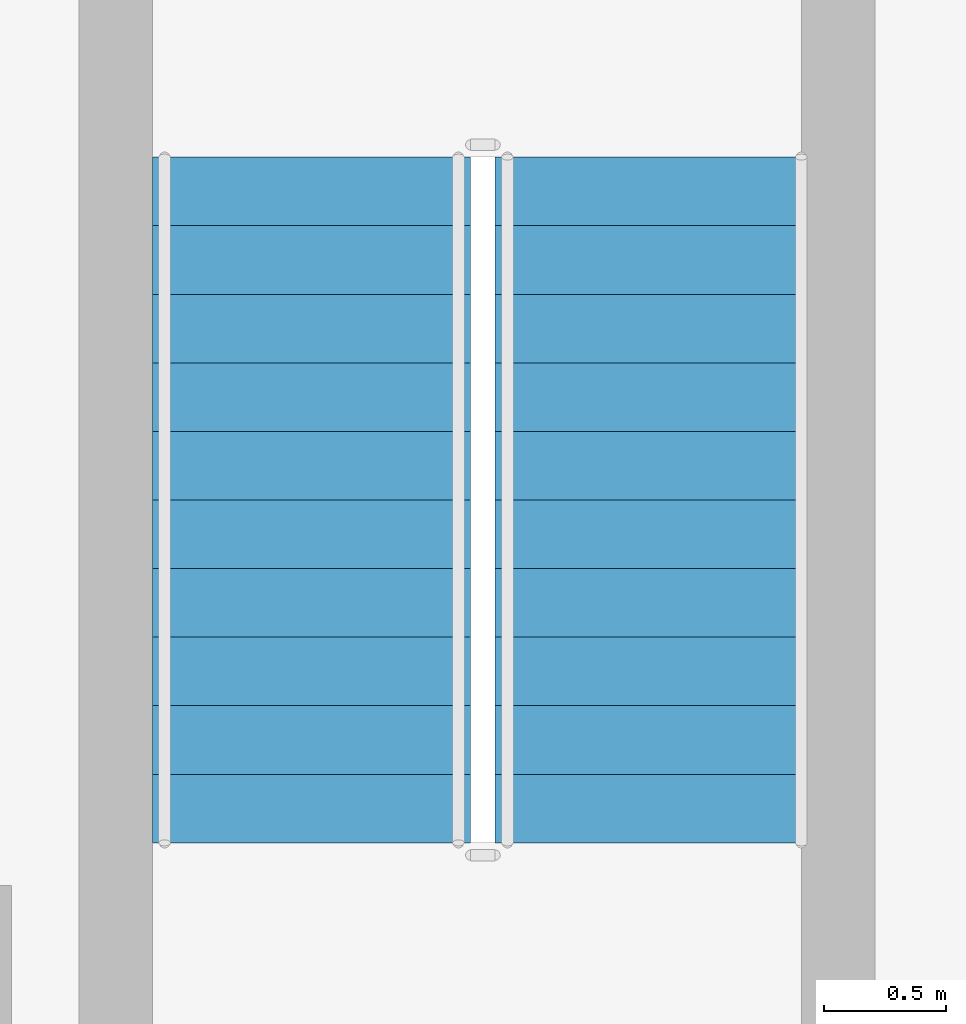
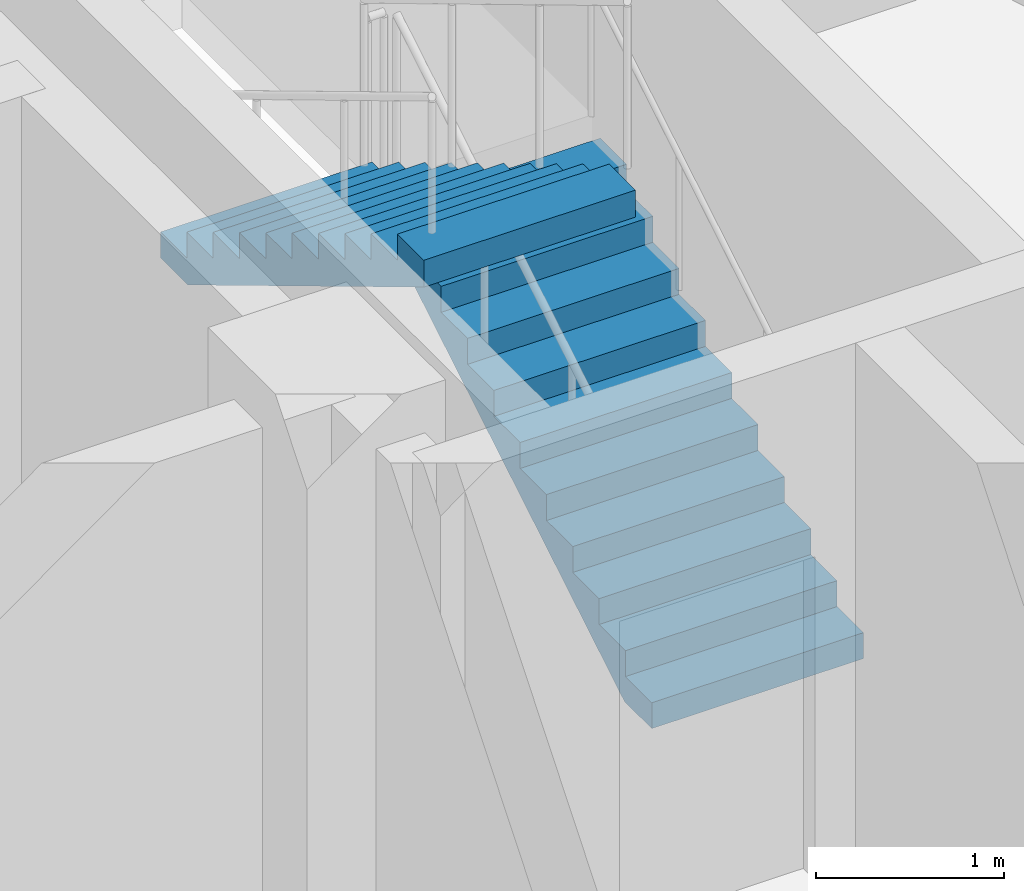
# One storey, part 27 of 33: 2 stair flights, 1 element without a shape of its own.
"""IFC4 building model written with IfcOpenShell, lengths in metres."""

from ifc_helpers import new_model, si_unit, direction, frame, origin, place, context, subcontext, project, spatial, triangles, source, transform, mapped, material, type_object, element, aggregate, save


model = new_model("IFC4")

# Units and contexts
model_context = context("Model", 3, precision=1e-05, world=origin(), true_north=direction((0.0, 1.0)))
body_context = subcontext(model_context, "Body", "Model", "MODEL_VIEW")
ifc_project = project(units=[si_unit("LENGTHUNIT", "METRE"), si_unit("AREAUNIT", "SQUARE_METRE"), si_unit("VOLUMEUNIT", "CUBIC_METRE"), si_unit("PLANEANGLEUNIT", "RADIAN"), si_unit("MASSUNIT", "GRAM", prefix="KILO")], contexts=[model_context])

# Site, building, storey
site_placement = place(None, origin())
site = spatial("IfcSite", under=ifc_project, at=site_placement, CompositionType="ELEMENT")
building_placement = place(site_placement, origin())
building = spatial("IfcBuilding", under=site, at=building_placement, Name="Ogive Portal Towers", CompositionType="ELEMENT")
storey_placement = place(building_placement, frame((0.0, 0.0, 101.89990234375)))
storey = spatial("IfcBuildingStorey", under=building, at=storey_placement, Name="L24", CompositionType="ELEMENT", Elevation=101.89990234375)

# Stair, stair flights
ifc_material = material(Name="Concrete C40/50", Category="concrete")
stair_type = type_object("IfcStairType", Name="INT-STAIR", PredefinedType="HALF_TURN_STAIR", material=ifc_material)
stair_placement = place(storey_placement, origin())
stair = element("IfcStair", 1, at=stair_placement, inside=storey, type_object=stair_type, Name="L24 Exit Stair ST-A3", PredefinedType="HALF_TURN_STAIR")
stair_flight_type = type_object("IfcStairFlightType", Name="INT-FLIGHT", PredefinedType="STRAIGHT", material=ifc_material)
shared_shape = source(origin(), body_context, "Body", "Tessellation", [
    triangles([(0.0, -0.650146484375, 0.0), (0.0, -0.376220703125, 0.0), (0.0, -0.192626953125, 0.0), (0.0, -0.081298828125, 0.0), (0.0, -0.024169921875, 0.0), (0.0, -0.003173828125, 0.0), (0.0, 0.0, 0.0), (0.0, 0.0029296875, 0.0), (0.0, 0.02392578125, 0.0), (0.0, 0.0810546875, 0.0), (0.0, 0.1923828125, 0.0), (0.0, 0.3759765625, 0.0), (0.0, 0.64990234375, 0.0), (0.0, -0.650146484375, 0.168212890625), (0.0, -0.376220703125, 0.168212890625), (0.0, -0.192626953125, 0.168212890625), (0.0, -0.081298828125, 0.168212890625), (0.0, -0.024169921875, 0.168212890625), (0.0, -0.003173828125, 0.168212890625), (0.0, 0.0, 0.168212890625), (0.0, 0.0029296875, 0.168212890625), (0.0, 0.02392578125, 0.168212890625), (0.0, 0.0810546875, 0.168212890625), (0.0, 0.1923828125, 0.168212890625), (0.0, 0.3759765625, 0.168212890625), (0.0, 0.64990234375, 0.168212890625), (0.280029296875, -0.650146484375, 0.168212890625), (0.280029296875, -0.376220703125, 0.168212890625), (0.280029296875, -0.192626953125, 0.168212890625), (0.280029296875, -0.081298828125, 0.168212890625), (0.280029296875, -0.024169921875, 0.168212890625), (0.280029296875, -0.003173828125, 0.168212890625), (0.280029296875, 0.0, 0.168212890625), (0.280029296875, 0.0029296875, 0.168212890625), (0.280029296875, 0.02392578125, 0.168212890625), (0.280029296875, 0.0810546875, 0.168212890625), (0.280029296875, 0.1923828125, 0.168212890625), (0.280029296875, 0.3759765625, 0.168212890625), (0.280029296875, 0.64990234375, 0.168212890625), (0.280029296875, -0.650146484375, 0.33642578125), (0.280029296875, -0.376220703125, 0.33642578125), (0.280029296875, -0.192626953125, 0.33642578125), (0.280029296875, -0.081298828125, 0.33642578125), (0.280029296875, -0.024169921875, 0.33642578125), (0.280029296875, -0.003173828125, 0.33642578125), (0.280029296875, 0.0, 0.33642578125), (0.280029296875, 0.0029296875, 0.33642578125), (0.280029296875, 0.02392578125, 0.33642578125), (0.280029296875, 0.0810546875, 0.33642578125), (0.280029296875, 0.1923828125, 0.33642578125), (0.280029296875, 0.3759765625, 0.33642578125), (0.280029296875, 0.64990234375, 0.33642578125), (0.56005859375, -0.650146484375, 0.33642578125), (0.56005859375, -0.376220703125, 0.33642578125), (0.56005859375, -0.192626953125, 0.33642578125), (0.56005859375, -0.081298828125, 0.33642578125), (0.56005859375, -0.024169921875, 0.33642578125), (0.56005859375, -0.003173828125, 0.33642578125), (0.56005859375, 0.0, 0.33642578125), (0.56005859375, 0.0029296875, 0.33642578125), (0.56005859375, 0.02392578125, 0.33642578125), (0.56005859375, 0.0810546875, 0.33642578125), (0.56005859375, 0.1923828125, 0.33642578125), (0.56005859375, 0.3759765625, 0.33642578125), (0.56005859375, 0.64990234375, 0.33642578125), (0.56005859375, -0.650146484375, 0.504638671875), (0.56005859375, -0.376220703125, 0.504638671875), (0.56005859375, -0.192626953125, 0.504638671875), (0.56005859375, -0.081298828125, 0.504638671875), (0.56005859375, -0.024169921875, 0.504638671875), (0.56005859375, -0.003173828125, 0.504638671875), (0.56005859375, 0.0, 0.504638671875), (0.56005859375, 0.0029296875, 0.504638671875), (0.56005859375, 0.02392578125, 0.504638671875), (0.56005859375, 0.0810546875, 0.504638671875), (0.56005859375, 0.1923828125, 0.504638671875), (0.56005859375, 0.3759765625, 0.504638671875), (0.56005859375, 0.64990234375, 0.504638671875), (0.840087890625, -0.650146484375, 0.504638671875), (0.840087890625, -0.376220703125, 0.504638671875), (0.840087890625, -0.192626953125, 0.504638671875), (0.840087890625, -0.081298828125, 0.504638671875), (0.840087890625, -0.024169921875, 0.504638671875), (0.840087890625, -0.003173828125, 0.504638671875), (0.840087890625, 0.0, 0.504638671875), (0.840087890625, 0.0029296875, 0.504638671875), (0.840087890625, 0.02392578125, 0.504638671875), (0.840087890625, 0.0810546875, 0.504638671875), (0.840087890625, 0.1923828125, 0.504638671875), (0.840087890625, 0.3759765625, 0.504638671875), (0.840087890625, 0.64990234375, 0.504638671875), (0.840087890625, -0.650146484375, 0.672607421875), (0.840087890625, -0.376220703125, 0.672607421875), (0.840087890625, -0.192626953125, 0.672607421875), (0.840087890625, -0.081298828125, 0.672607421875), (0.840087890625, -0.024169921875, 0.672607421875), (0.840087890625, -0.003173828125, 0.672607421875), (0.840087890625, 0.0, 0.672607421875), (0.840087890625, 0.0029296875, 0.672607421875), (0.840087890625, 0.02392578125, 0.672607421875), (0.840087890625, 0.0810546875, 0.672607421875), (0.840087890625, 0.1923828125, 0.672607421875), (0.840087890625, 0.3759765625, 0.672607421875), (0.840087890625, 0.64990234375, 0.672607421875), (1.1201171875, -0.650146484375, 0.672607421875), (1.1201171875, -0.376220703125, 0.672607421875), (1.1201171875, -0.192626953125, 0.672607421875), (1.1201171875, -0.081298828125, 0.672607421875), (1.1201171875, -0.024169921875, 0.672607421875), (1.1201171875, -0.003173828125, 0.672607421875), (1.1201171875, 0.0, 0.672607421875), (1.1201171875, 0.0029296875, 0.672607421875), (1.1201171875, 0.02392578125, 0.672607421875), (1.1201171875, 0.0810546875, 0.672607421875), (1.1201171875, 0.1923828125, 0.672607421875), (1.1201171875, 0.3759765625, 0.672607421875), (1.1201171875, 0.64990234375, 0.672607421875), (1.1201171875, -0.650146484375, 0.8408203125), (1.1201171875, -0.376220703125, 0.8408203125), (1.1201171875, -0.192626953125, 0.8408203125), (1.1201171875, -0.081298828125, 0.8408203125), (1.1201171875, -0.024169921875, 0.8408203125), (1.1201171875, -0.003173828125, 0.8408203125), (1.1201171875, 0.0, 0.8408203125), (1.1201171875, 0.0029296875, 0.8408203125), (1.1201171875, 0.02392578125, 0.8408203125), (1.1201171875, 0.0810546875, 0.8408203125), (1.1201171875, 0.1923828125, 0.8408203125), (1.1201171875, 0.3759765625, 0.8408203125), (1.1201171875, 0.64990234375, 0.8408203125), (1.39990234375, -0.650146484375, 0.8408203125), (1.39990234375, -0.376220703125, 0.8408203125), (1.39990234375, -0.192626953125, 0.8408203125), (1.39990234375, -0.081298828125, 0.8408203125), (1.39990234375, -0.024169921875, 0.8408203125), (1.39990234375, -0.003173828125, 0.8408203125), (1.39990234375, 0.0, 0.8408203125), (1.39990234375, 0.0029296875, 0.8408203125), (1.39990234375, 0.02392578125, 0.8408203125), (1.39990234375, 0.0810546875, 0.8408203125), (1.39990234375, 0.1923828125, 0.8408203125), (1.39990234375, 0.3759765625, 0.8408203125), (1.39990234375, 0.64990234375, 0.8408203125), (1.39990234375, -0.650146484375, 1.009033203125), (1.39990234375, -0.376220703125, 1.009033203125), (1.39990234375, -0.192626953125, 1.009033203125), (1.39990234375, -0.081298828125, 1.009033203125), (1.39990234375, -0.024169921875, 1.009033203125), (1.39990234375, -0.003173828125, 1.009033203125), (1.39990234375, 0.0, 1.009033203125), (1.39990234375, 0.0029296875, 1.009033203125), (1.39990234375, 0.02392578125, 1.009033203125), (1.39990234375, 0.0810546875, 1.009033203125), (1.39990234375, 0.1923828125, 1.009033203125), (1.39990234375, 0.3759765625, 1.009033203125), (1.39990234375, 0.64990234375, 1.009033203125), (1.679931640625, -0.650146484375, 1.009033203125), (1.679931640625, -0.376220703125, 1.009033203125), (1.679931640625, -0.192626953125, 1.009033203125), (1.679931640625, -0.081298828125, 1.009033203125), (1.679931640625, -0.024169921875, 1.009033203125), (1.679931640625, -0.003173828125, 1.009033203125), (1.679931640625, 0.0, 1.009033203125), (1.679931640625, 0.0029296875, 1.009033203125), (1.679931640625, 0.02392578125, 1.009033203125), (1.679931640625, 0.0810546875, 1.009033203125), (1.679931640625, 0.1923828125, 1.009033203125), (1.679931640625, 0.3759765625, 1.009033203125), (1.679931640625, 0.64990234375, 1.009033203125), (1.679931640625, -0.650146484375, 1.17724609375), (1.679931640625, -0.376220703125, 1.17724609375), (1.679931640625, -0.192626953125, 1.17724609375), (1.679931640625, -0.081298828125, 1.17724609375), (1.679931640625, -0.024169921875, 1.17724609375), (1.679931640625, -0.003173828125, 1.17724609375), (1.679931640625, 0.0, 1.17724609375), (1.679931640625, 0.0029296875, 1.17724609375), (1.679931640625, 0.02392578125, 1.17724609375), (1.679931640625, 0.0810546875, 1.17724609375), (1.679931640625, 0.1923828125, 1.17724609375), (1.679931640625, 0.3759765625, 1.17724609375), (1.679931640625, 0.64990234375, 1.17724609375), (1.9599609375, -0.650146484375, 1.17724609375), (1.9599609375, -0.376220703125, 1.17724609375), (1.9599609375, -0.192626953125, 1.17724609375), (1.9599609375, -0.081298828125, 1.17724609375), (1.9599609375, -0.024169921875, 1.17724609375), (1.9599609375, -0.003173828125, 1.17724609375), (1.9599609375, 0.0, 1.17724609375), (1.9599609375, 0.0029296875, 1.17724609375), (1.9599609375, 0.02392578125, 1.17724609375), (1.9599609375, 0.0810546875, 1.17724609375), (1.9599609375, 0.1923828125, 1.17724609375), (1.9599609375, 0.3759765625, 1.17724609375), (1.9599609375, 0.64990234375, 1.17724609375), (1.9599609375, -0.650146484375, 1.345458984375), (1.9599609375, -0.376220703125, 1.345458984375), (1.9599609375, -0.192626953125, 1.345458984375), (1.9599609375, -0.081298828125, 1.345458984375), (1.9599609375, -0.024169921875, 1.345458984375), (1.9599609375, -0.003173828125, 1.345458984375), (1.9599609375, 0.0, 1.345458984375), (1.9599609375, 0.0029296875, 1.345458984375), (1.9599609375, 0.02392578125, 1.345458984375), (1.9599609375, 0.0810546875, 1.345458984375), (1.9599609375, 0.1923828125, 1.345458984375), (1.9599609375, 0.3759765625, 1.345458984375), (1.9599609375, 0.64990234375, 1.345458984375), (2.239990234375, -0.650146484375, 1.345458984375), (2.239990234375, -0.376220703125, 1.345458984375), (2.239990234375, -0.192626953125, 1.345458984375), (2.239990234375, -0.081298828125, 1.345458984375), (2.239990234375, -0.024169921875, 1.345458984375), (2.239990234375, -0.003173828125, 1.345458984375), (2.239990234375, 0.0, 1.345458984375), (2.239990234375, 0.0029296875, 1.345458984375), (2.239990234375, 0.02392578125, 1.345458984375), (2.239990234375, 0.0810546875, 1.345458984375), (2.239990234375, 0.1923828125, 1.345458984375), (2.239990234375, 0.3759765625, 1.345458984375), (2.239990234375, 0.64990234375, 1.345458984375), (2.239990234375, -0.650146484375, 1.513671875), (2.239990234375, -0.376220703125, 1.513671875), (2.239990234375, -0.192626953125, 1.513671875), (2.239990234375, -0.081298828125, 1.513671875), (2.239990234375, -0.024169921875, 1.513671875), (2.239990234375, -0.003173828125, 1.513671875), (2.239990234375, 0.0, 1.513671875), (2.239990234375, 0.0029296875, 1.513671875), (2.239990234375, 0.02392578125, 1.513671875), (2.239990234375, 0.0810546875, 1.513671875), (2.239990234375, 0.1923828125, 1.513671875), (2.239990234375, 0.3759765625, 1.513671875), (2.239990234375, 0.64990234375, 1.513671875), (2.52001953125, -0.650146484375, 1.513671875), (2.52001953125, -0.376220703125, 1.513671875), (2.52001953125, -0.192626953125, 1.513671875), (2.52001953125, -0.081298828125, 1.513671875), (2.52001953125, -0.024169921875, 1.513671875), (2.52001953125, -0.003173828125, 1.513671875), (2.52001953125, 0.0, 1.513671875), (2.52001953125, 0.0029296875, 1.513671875), (2.52001953125, 0.02392578125, 1.513671875), (2.52001953125, 0.0810546875, 1.513671875), (2.52001953125, 0.1923828125, 1.513671875), (2.52001953125, 0.3759765625, 1.513671875), (2.52001953125, 0.64990234375, 1.513671875), (2.52001953125, -0.650146484375, 1.681884765625), (2.52001953125, -0.376220703125, 1.681884765625), (2.52001953125, -0.192626953125, 1.681884765625), (2.52001953125, -0.081298828125, 1.681884765625), (2.52001953125, -0.024169921875, 1.681884765625), (2.52001953125, -0.003173828125, 1.681884765625), (2.52001953125, 0.0, 1.681884765625), (2.52001953125, 0.0029296875, 1.681884765625), (2.52001953125, 0.02392578125, 1.681884765625), (2.52001953125, 0.0810546875, 1.681884765625), (2.52001953125, 0.1923828125, 1.681884765625), (2.52001953125, 0.3759765625, 1.681884765625), (2.52001953125, 0.64990234375, 1.681884765625), (2.800048828125, -0.650146484375, 1.681884765625), (2.800048828125, -0.376220703125, 1.681884765625), (2.800048828125, -0.192626953125, 1.681884765625), (2.800048828125, -0.081298828125, 1.681884765625), (2.800048828125, -0.024169921875, 1.681884765625), (2.800048828125, -0.003173828125, 1.681884765625), (2.800048828125, 0.0, 1.681884765625), (2.800048828125, 0.0029296875, 1.681884765625), (2.800048828125, 0.02392578125, 1.681884765625), (2.800048828125, 0.0810546875, 1.681884765625), (2.800048828125, 0.1923828125, 1.681884765625), (2.800048828125, 0.3759765625, 1.681884765625), (2.800048828125, 0.64990234375, 1.681884765625), (2.800048828125, -0.650146484375, 1.5068359375), (2.800048828125, -0.376220703125, 1.5068359375), (2.800048828125, -0.192626953125, 1.5068359375), (2.800048828125, -0.081298828125, 1.5068359375), (2.800048828125, -0.024169921875, 1.5068359375), (2.800048828125, -0.003173828125, 1.5068359375), (2.800048828125, 0.0, 1.5068359375), (2.800048828125, 0.0029296875, 1.5068359375), (2.800048828125, 0.02392578125, 1.5068359375), (2.800048828125, 0.0810546875, 1.5068359375), (2.800048828125, 0.1923828125, 1.5068359375), (2.800048828125, 0.3759765625, 1.5068359375), (2.800048828125, 0.64990234375, 1.5068359375), (0.291015625, -0.650146484375, 0.0), (0.291015625, -0.376220703125, 0.0), (0.291015625, -0.192626953125, 0.0), (0.291015625, -0.081298828125, 0.0), (0.291015625, -0.024169921875, 0.0), (0.291015625, -0.003173828125, 0.0), (0.291015625, 0.0, 0.0), (0.291015625, 0.0029296875, 0.0), (0.291015625, 0.02392578125, 0.0), (0.291015625, 0.0810546875, 0.0), (0.291015625, 0.1923828125, 0.0), (0.291015625, 0.3759765625, 0.0), (0.291015625, 0.64990234375, 0.0)], [[1, 14, 15], [1, 15, 2], [2, 15, 16], [2, 16, 3], [3, 16, 17], [3, 17, 4], [4, 17, 18], [4, 18, 5], [5, 18, 19], [5, 19, 6], [6, 19, 20], [6, 20, 7], [7, 20, 21], [7, 21, 8], [8, 21, 22], [8, 22, 9], [9, 22, 23], [9, 23, 10], [10, 23, 24], [10, 24, 11], [11, 24, 25], [11, 25, 12], [12, 25, 26], [12, 26, 13], [14, 27, 28], [14, 28, 15], [15, 28, 29], [15, 29, 16], [16, 29, 30], [16, 30, 17], [17, 30, 31], [17, 31, 18], [18, 31, 32], [18, 32, 19], [19, 32, 33], [19, 33, 20], [20, 33, 34], [20, 34, 21], [21, 34, 35], [21, 35, 22], [22, 35, 36], [22, 36, 23], [23, 36, 37], [23, 37, 24], [24, 37, 38], [24, 38, 25], [25, 38, 39], [25, 39, 26], [27, 40, 41], [27, 41, 28], [28, 41, 42], [28, 42, 29], [29, 42, 43], [29, 43, 30], [30, 43, 44], [30, 44, 31], [31, 44, 45], [31, 45, 32], [32, 45, 46], [32, 46, 33], [33, 46, 47], [33, 47, 34], [34, 47, 48], [34, 48, 35], [35, 48, 49], [35, 49, 36], [36, 49, 50], [36, 50, 37], [37, 50, 51], [37, 51, 38], [38, 51, 52], [38, 52, 39], [40, 53, 54], [40, 54, 41], [41, 54, 55], [41, 55, 42], [42, 55, 56], [42, 56, 43], [43, 56, 57], [43, 57, 44], [44, 57, 58], [44, 58, 45], [45, 58, 59], [45, 59, 46], [46, 59, 60], [46, 60, 47], [47, 60, 61], [47, 61, 48], [48, 61, 62], [48, 62, 49], [49, 62, 63], [49, 63, 50], [50, 63, 64], [50, 64, 51], [51, 64, 65], [51, 65, 52], [53, 66, 67], [53, 67, 54], [54, 67, 68], [54, 68, 55], [55, 68, 69], [55, 69, 56], [56, 69, 70], [56, 70, 57], [57, 70, 71], [57, 71, 58], [58, 71, 72], [58, 72, 59], [59, 72, 73], [59, 73, 60], [60, 73, 74], [60, 74, 61], [61, 74, 75], [61, 75, 62], [62, 75, 76], [62, 76, 63], [63, 76, 77], [63, 77, 64], [64, 77, 78], [64, 78, 65], [66, 79, 80], [66, 80, 67], [67, 80, 81], [67, 81, 68], [68, 81, 82], [68, 82, 69], [69, 82, 83], [69, 83, 70], [70, 83, 84], [70, 84, 71], [71, 84, 85], [71, 85, 72], [72, 85, 86], [72, 86, 73], [73, 86, 87], [73, 87, 74], [74, 87, 88], [74, 88, 75], [75, 88, 89], [75, 89, 76], [76, 89, 90], [76, 90, 77], [77, 90, 91], [77, 91, 78], [79, 92, 93], [79, 93, 80], [80, 93, 94], [80, 94, 81], [81, 94, 95], [81, 95, 82], [82, 95, 96], [82, 96, 83], [83, 96, 97], [83, 97, 84], [84, 97, 98], [84, 98, 85], [85, 98, 99], [85, 99, 86], [86, 99, 100], [86, 100, 87], [87, 100, 101], [87, 101, 88], [88, 101, 102], [88, 102, 89], [89, 102, 103], [89, 103, 90], [90, 103, 104], [90, 104, 91], [92, 105, 106], [92, 106, 93], [93, 106, 107], [93, 107, 94], [94, 107, 108], [94, 108, 95], [95, 108, 109], [95, 109, 96], [96, 109, 110], [96, 110, 97], [97, 110, 111], [97, 111, 98], [98, 111, 112], [98, 112, 99], [99, 112, 113], [99, 113, 100], [100, 113, 114], [100, 114, 101], [101, 114, 115], [101, 115, 102], [102, 115, 116], [102, 116, 103], [103, 116, 117], [103, 117, 104], [105, 118, 119], [105, 119, 106], [106, 119, 120], [106, 120, 107], [107, 120, 121], [107, 121, 108], [108, 121, 122], [108, 122, 109], [109, 122, 123], [109, 123, 110], [110, 123, 124], [110, 124, 111], [111, 124, 125], [111, 125, 112], [112, 125, 126], [112, 126, 113], [113, 126, 127], [113, 127, 114], [114, 127, 128], [114, 128, 115], [115, 128, 129], [115, 129, 116], [116, 129, 130], [116, 130, 117], [118, 131, 132], [118, 132, 119], [119, 132, 133], [119, 133, 120], [120, 133, 134], [120, 134, 121], [121, 134, 135], [121, 135, 122], [122, 135, 136], [122, 136, 123], [123, 136, 137], [123, 137, 124], [124, 137, 138], [124, 138, 125], [125, 138, 139], [125, 139, 126], [126, 139, 140], [126, 140, 127], [127, 140, 141], [127, 141, 128], [128, 141, 142], [128, 142, 129], [129, 142, 143], [129, 143, 130], [131, 144, 145], [131, 145, 132], [132, 145, 146], [132, 146, 133], [133, 146, 147], [133, 147, 134], [134, 147, 148], [134, 148, 135], [135, 148, 149], [135, 149, 136], [136, 149, 150], [136, 150, 137], [137, 150, 151], [137, 151, 138], [138, 151, 152], [138, 152, 139], [139, 152, 153], [139, 153, 140], [140, 153, 154], [140, 154, 141], [141, 154, 155], [141, 155, 142], [142, 155, 156], [142, 156, 143], [144, 157, 158], [144, 158, 145], [145, 158, 159], [145, 159, 146], [146, 159, 160], [146, 160, 147], [147, 160, 161], [147, 161, 148], [148, 161, 162], [148, 162, 149], [149, 162, 163], [149, 163, 150], [150, 163, 164], [150, 164, 151], [151, 164, 165], [151, 165, 152], [152, 165, 166], [152, 166, 153], [153, 166, 167], [153, 167, 154], [154, 167, 168], [154, 168, 155], [155, 168, 169], [155, 169, 156], [157, 170, 171], [157, 171, 158], [158, 171, 172], [158, 172, 159], [159, 172, 173], [159, 173, 160], [160, 173, 174], [160, 174, 161], [161, 174, 175], [161, 175, 162], [162, 175, 176], [162, 176, 163], [163, 176, 177], [163, 177, 164], [164, 177, 178], [164, 178, 165], [165, 178, 179], [165, 179, 166], [166, 179, 180], [166, 180, 167], [167, 180, 181], [167, 181, 168], [168, 181, 182], [168, 182, 169], [170, 183, 184], [170, 184, 171], [171, 184, 185], [171, 185, 172], [172, 185, 186], [172, 186, 173], [173, 186, 187], [173, 187, 174], [174, 187, 188], [174, 188, 175], [175, 188, 189], [175, 189, 176], [176, 189, 190], [176, 190, 177], [177, 190, 191], [177, 191, 178], [178, 191, 192], [178, 192, 179], [179, 192, 193], [179, 193, 180], [180, 193, 194], [180, 194, 181], [181, 194, 195], [181, 195, 182], [183, 196, 197], [183, 197, 184], [184, 197, 198], [184, 198, 185], [185, 198, 199], [185, 199, 186], [186, 199, 200], [186, 200, 187], [187, 200, 201], [187, 201, 188], [188, 201, 202], [188, 202, 189], [189, 202, 203], [189, 203, 190], [190, 203, 204], [190, 204, 191], [191, 204, 205], [191, 205, 192], [192, 205, 206], [192, 206, 193], [193, 206, 207], [193, 207, 194], [194, 207, 208], [194, 208, 195], [196, 209, 210], [196, 210, 197], [197, 210, 211], [197, 211, 198], [198, 211, 212], [198, 212, 199], [199, 212, 213], [199, 213, 200], [200, 213, 214], [200, 214, 201], [201, 214, 215], [201, 215, 202], [202, 215, 216], [202, 216, 203], [203, 216, 217], [203, 217, 204], [204, 217, 218], [204, 218, 205], [205, 218, 219], [205, 219, 206], [206, 219, 220], [206, 220, 207], [207, 220, 221], [207, 221, 208], [209, 222, 223], [209, 223, 210], [210, 223, 224], [210, 224, 211], [211, 224, 225], [211, 225, 212], [212, 225, 226], [212, 226, 213], [213, 226, 227], [213, 227, 214], [214, 227, 228], [214, 228, 215], [215, 228, 229], [215, 229, 216], [216, 229, 230], [216, 230, 217], [217, 230, 231], [217, 231, 218], [218, 231, 232], [218, 232, 219], [219, 232, 233], [219, 233, 220], [220, 233, 234], [220, 234, 221], [222, 235, 236], [222, 236, 223], [223, 236, 237], [223, 237, 224], [224, 237, 238], [224, 238, 225], [225, 238, 239], [225, 239, 226], [226, 239, 240], [226, 240, 227], [227, 240, 241], [227, 241, 228], [228, 241, 242], [228, 242, 229], [229, 242, 243], [229, 243, 230], [230, 243, 244], [230, 244, 231], [231, 244, 245], [231, 245, 232], [232, 245, 246], [232, 246, 233], [233, 246, 247], [233, 247, 234], [235, 248, 249], [235, 249, 236], [236, 249, 250], [236, 250, 237], [237, 250, 251], [237, 251, 238], [238, 251, 252], [238, 252, 239], [239, 252, 253], [239, 253, 240], [240, 253, 254], [240, 254, 241], [241, 254, 255], [241, 255, 242], [242, 255, 256], [242, 256, 243], [243, 256, 257], [243, 257, 244], [244, 257, 258], [244, 258, 245], [245, 258, 259], [245, 259, 246], [246, 259, 260], [246, 260, 247], [248, 261, 262], [248, 262, 249], [249, 262, 263], [249, 263, 250], [250, 263, 264], [250, 264, 251], [251, 264, 265], [251, 265, 252], [252, 265, 266], [252, 266, 253], [253, 266, 267], [253, 267, 254], [254, 267, 268], [254, 268, 255], [255, 268, 269], [255, 269, 256], [256, 269, 270], [256, 270, 257], [257, 270, 271], [257, 271, 258], [258, 271, 272], [258, 272, 259], [259, 272, 273], [259, 273, 260], [261, 274, 275], [261, 275, 262], [262, 275, 276], [262, 276, 263], [263, 276, 277], [263, 277, 264], [264, 277, 278], [264, 278, 265], [265, 278, 279], [265, 279, 266], [266, 279, 280], [266, 280, 267], [267, 280, 281], [267, 281, 268], [268, 281, 282], [268, 282, 269], [269, 282, 283], [269, 283, 270], [270, 283, 284], [270, 284, 271], [271, 284, 285], [271, 285, 272], [272, 285, 286], [272, 286, 273], [274, 287, 288], [274, 288, 275], [275, 288, 289], [275, 289, 276], [276, 289, 290], [276, 290, 277], [277, 290, 291], [277, 291, 278], [278, 291, 292], [278, 292, 279], [279, 292, 293], [279, 293, 280], [280, 293, 294], [280, 294, 281], [281, 294, 295], [281, 295, 282], [282, 295, 296], [282, 296, 283], [283, 296, 297], [283, 297, 284], [284, 297, 298], [284, 298, 285], [285, 298, 299], [285, 299, 286], [287, 1, 2], [287, 2, 288], [288, 2, 3], [288, 3, 289], [289, 3, 4], [289, 4, 290], [290, 4, 5], [290, 5, 291], [291, 5, 6], [291, 6, 292], [292, 6, 7], [292, 7, 293], [293, 7, 8], [293, 8, 294], [294, 8, 9], [294, 9, 295], [295, 9, 10], [295, 10, 296], [296, 10, 11], [296, 11, 297], [297, 11, 12], [297, 12, 298], [298, 12, 13], [298, 13, 299], [1, 287, 274], [13, 286, 299], [274, 261, 248], [286, 260, 273], [274, 248, 235], [286, 247, 260], [274, 235, 222], [286, 234, 247], [274, 222, 209], [286, 221, 234], [209, 196, 183], [221, 195, 208], [274, 209, 183], [286, 195, 221], [183, 170, 157], [195, 169, 182], [274, 183, 157], [286, 169, 195], [157, 144, 131], [169, 143, 156], [274, 157, 131], [286, 143, 169], [131, 118, 105], [143, 117, 130], [274, 131, 105], [286, 117, 143], [1, 274, 105], [13, 117, 286], [105, 92, 79], [117, 91, 104], [79, 66, 53], [91, 65, 78], [105, 79, 53], [117, 65, 91], [53, 40, 27], [65, 39, 52], [105, 53, 27], [117, 39, 65], [1, 105, 27], [13, 39, 117], [27, 14, 1], [39, 13, 26]], closed=True),
])
stair_flight_1_placement = place(storey_placement, frame((43.550048828125, 67.199951171875, 0.0), z_axis=(0.0, 0.0, 1.0), x_axis=(0.0, 1.0, 0.0)))
stair_flight_1 = element("IfcStairFlight", 2, at=stair_flight_1_placement, type_object=stair_flight_type, Name="ST-A3 flight 1", NumberOfRisers=11, NumberOfTreads=10, PredefinedType="STRAIGHT", RiserHeight=0.168181818, TreadLength=0.28, context=body_context, shape_type="MappedRepresentation", body=[
    mapped(shared_shape, transform((0.0, 0.0, 0.0), scale=1.0)),
])
stair_flight_2_placement = place(storey_placement, frame((42.14990234375, 70.0, 1.85009765625), z_axis=(0.0, 0.0, 1.0), x_axis=(0.0, -1.0, 0.0)))
stair_flight_2 = element("IfcStairFlight", 3, at=stair_flight_2_placement, type_object=stair_flight_type, Name="ST-A3 flight 2", NumberOfRisers=11, NumberOfTreads=10, PredefinedType="STRAIGHT", RiserHeight=0.168181818, TreadLength=0.28, context=body_context, shape_type="MappedRepresentation", body=[
    mapped(shared_shape, transform((0.0, 0.0, 0.0), scale=1.0)),
])
aggregate(stair, [stair_flight_1, stair_flight_2])

save(model, "model.ifc")
